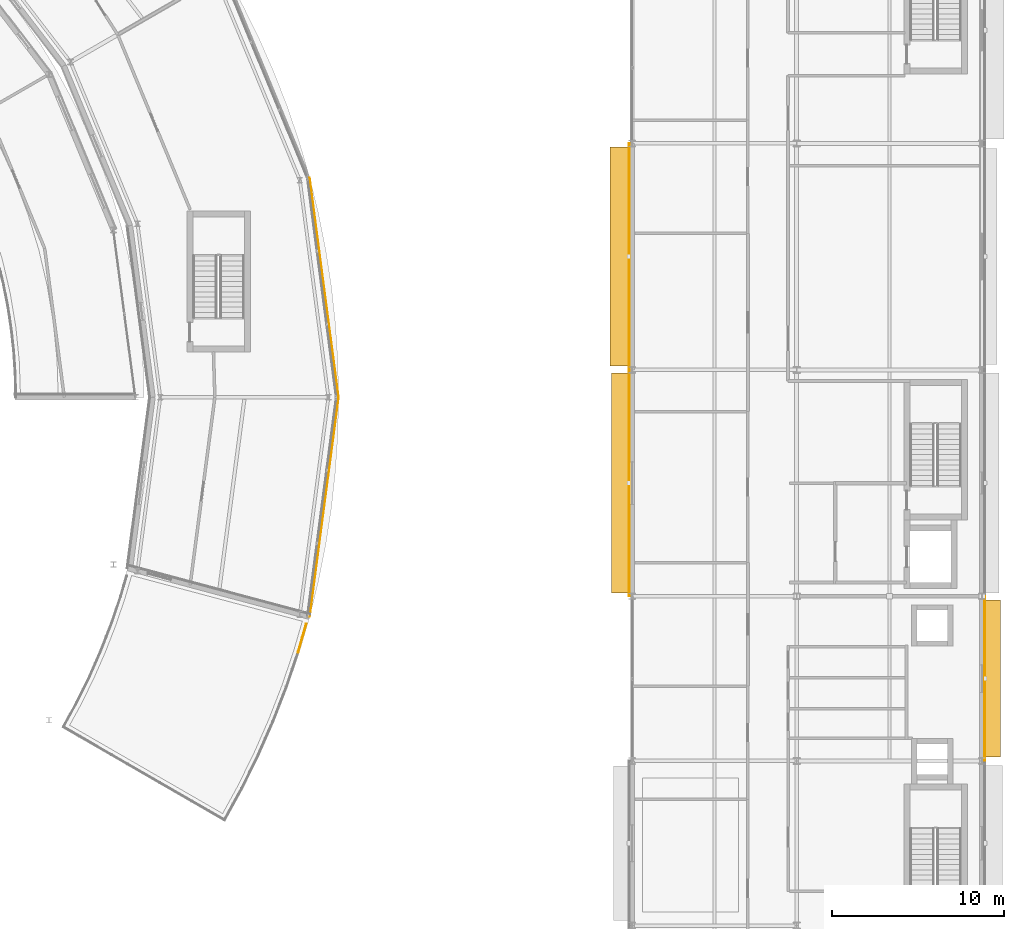
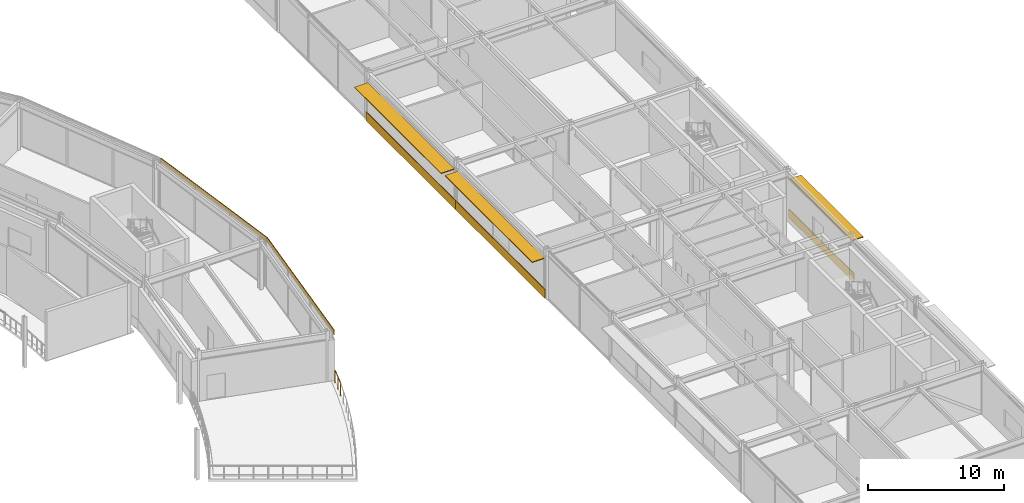
# One storey, part 114 of 116: 5 coverings, 3 shading devices, 1 railing.
"""IFC4 building model written with IfcOpenShell, lengths in metres."""

from ifc_helpers import new_model, si_unit, direction, frame, origin, origin_2d, place, context, subcontext, project, spatial, rectangle, circle, extrude, material, layer, layer_set, type_object, element, save


model = new_model("IFC4")

# Units and contexts
model_context = context("Model", 3, precision=1e-05, world=origin(), true_north=direction((0.0, 1.0)))
body_context = subcontext(model_context, "Body", "Model", "MODEL_VIEW")
ifc_project = project(units=[si_unit("LENGTHUNIT", "METRE"), si_unit("AREAUNIT", "SQUARE_METRE"), si_unit("VOLUMEUNIT", "CUBIC_METRE"), si_unit("PLANEANGLEUNIT", "RADIAN"), si_unit("MASSUNIT", "GRAM", prefix="KILO")], contexts=[model_context])

# Site, building, storey
site_placement = place(None, origin())
site = spatial("IfcSite", under=ifc_project, at=site_placement, CompositionType="ELEMENT")
building_placement = place(site_placement, origin())
building = spatial("IfcBuilding", under=site, at=building_placement, Name="Almandine Court Research Institute", CompositionType="ELEMENT")
storey_placement = place(building_placement, frame((0.0, 0.0, 14.35009765625)))
storey = spatial("IfcBuildingStorey", under=building, at=storey_placement, Name="L03", CompositionType="ELEMENT", Elevation=14.35009765625)

# Coverings
ifc_material_1 = material(Name="Extruded Cream-Ochre Seismic Terracotta Spandrel", Category="masonry")
ifc_layer_1 = layer(ifc_material_1, 0.054931640625)
ifc_layer_set_1 = layer_set([ifc_layer_1], Name="Extruded Cream-Ochre Seismic Terracotta Spandrel")
covering_type = type_object("IfcCoveringType", Name="Cov-CLAD-TERR", PredefinedType="CLADDING", material=ifc_layer_set_1)
for number, where, z_axis, x_axis, name in (
    (1, (153.428955078125, 51.0, 0.02001953125), (0.0, 0.0, 1.0), (0.0, 1.0, 0.0), "L03 Facade Spandrel Cladding Band 155"),
    (2, (153.428955078125, 64.199951171875, 0.02001953125), (0.0, 0.0, 1.0), (0.0, 1.0, 0.0), "L03 Facade Spandrel Cladding Band 156"),
):
    element("IfcCovering", number, at=place(storey_placement, frame(where, z_axis=z_axis, x_axis=x_axis)), inside=storey, type_object=covering_type, Name=name, PredefinedType="CLADDING", context=body_context, shape_type="SweptSolid", body=[
        extrude(rectangle(XDim=13.19189453125, YDim=0.054931640625, at=origin_2d()), origin(), (0.0, 0.0, 1.0), 0.800048828125),
    ])
covering_placement = place(storey_placement, frame((174.1708984375, 39.60009765625, 0.02001953125), z_axis=(0.0, 0.0, 1.0), x_axis=(0.0, -1.0, 0.0)))
element("IfcCovering", 3, at=covering_placement, inside=storey, type_object=covering_type, Name="L03 Facade Spandrel Cladding Band 164", PredefinedType="CLADDING", context=body_context, shape_type="SweptSolid", body=[
    extrude(rectangle(XDim=9.592041015625, YDim=0.054931640625, at=origin_2d()), origin(), (0.0, 0.0, 1.0), 0.800048828125),
])
for number, where, z_axis, x_axis, name in (
    (4, (135.638916015625, 49.595947265625, 3.97998046875), (0.0, 0.0, 1.0), (-0.13052619222, -0.991444861374, 0.0), "L03 Drum Stacked Terracotta Ring Band 23"),
    (5, (135.638916015625, 62.404052734375, 3.97998046875), (0.0, 0.0, 1.0), (0.13052619222, -0.991444861374, 0.0), "L03 Drum Stacked Terracotta Ring Band 00"),
):
    element("IfcCovering", number, at=place(storey_placement, frame(where, z_axis=z_axis, x_axis=x_axis)), inside=storey, type_object=covering_type, Name=name, PredefinedType="CLADDING", context=body_context, shape_type="SweptSolid", body=[
        extrude(rectangle(XDim=12.8779296875, YDim=0.054931640625, at=origin_2d()), origin(), (0.0, 0.0, 1.0), 0.419921875),
    ])

# Railing
ifc_material_2 = material(Name="Architectural Powder-Coated Aluminium Balustrade", Category="aluminium")
railing_type = type_object("IfcRailingType", Name="Rail-BAL-EXT", PredefinedType="BALUSTRADE", material=ifc_material_2)
railing_placement = place(storey_placement, frame((134.610107421875, 42.777099609375, 0.0)))
element("IfcRailing", 6, at=railing_placement, inside=storey, type_object=railing_type, Name="L03 Terrace Perimeter Balustrade 083", PredefinedType="BALUSTRADE", context=body_context, shape_type="SweptSolid", body=[
    extrude(circle(Radius=0.02392578125, at=origin_2d()), frame((0.0, 0.0, 1.1259765625), z_axis=(-0.279593376862, -0.960118504985, 0.0), x_axis=(0.960118504985, -0.279593376862, 0.0)), (0.0, 0.0, 1.0), 1.706298828125),
    extrude(circle(Radius=0.02099609375, at=origin_2d()), origin(), (0.0, 0.0, 1.0), 1.101806640625),
    extrude(circle(Radius=0.02099609375, at=origin_2d()), frame((-0.238525390625, -0.819091796875, 0.0)), (0.0, 0.0, 1.0), 1.101806640625),
    extrude(circle(Radius=0.02099609375, at=origin_2d()), frame((-0.47705078125, -1.63818359375, 0.0)), (0.0, 0.0, 1.0), 1.101806640625),
])

# Shading devices
ifc_material_3 = material(Name="Precast GFRC Chhajja Sunshade and Acoustic Louvre", Category="concrete")
ifc_layer_2 = layer(ifc_material_3, 0.080078125)
ifc_layer_set_2 = layer_set([ifc_layer_2], Name="Precast GFRC Chhajja Sunshade and Acoustic Louvre")
shading_device_type_1 = type_object("IfcShadingDeviceType", Name="Shd-SD-01", PredefinedType="AWNING", material=ifc_layer_set_2)
shading_device_1_placement = place(storey_placement, frame((174.610107421875, 39.60009765625, 3.603759765625), z_axis=(0.0, 0.0, 1.0), x_axis=(0.0, -1.0, 0.0)))
element("IfcShadingDevice", 7, at=shading_device_1_placement, inside=storey, type_object=shading_device_type_1, Name="L03 Projecting Chhajja Sunshade 113", PredefinedType="AWNING", context=body_context, shape_type="SweptSolid", body=[
    extrude(rectangle(XDim=9.162109375, YDim=0.949951171875, at=origin_2d()), origin(), (0.0, 0.0, 1.0), 0.080078125),
])
ifc_layer_3 = layer(ifc_material_3, 0.080078125)
ifc_layer_set_3 = layer_set([ifc_layer_3], Name="Precast GFRC Chhajja Sunshade and Acoustic Louvre")
shading_device_type_2 = type_object("IfcShadingDeviceType", Name="Shd-SD-44", PredefinedType="AWNING", material=ifc_layer_set_3)
shading_device_2_placement = place(storey_placement, frame((152.93994140625, 51.0, 3.4619140625), z_axis=(0.0, 0.0, 1.0), x_axis=(0.0, 1.0, 0.0)))
element("IfcShadingDevice", 8, at=shading_device_2_placement, inside=storey, type_object=shading_device_type_2, Name="L03 Projecting Chhajja Sunshade 104", PredefinedType="AWNING", context=body_context, shape_type="SweptSolid", body=[
    extrude(rectangle(XDim=12.842041015625, YDim=1.050048828125, at=origin_2d()), origin(), (0.0, 0.0, 1.0), 0.080078125),
])
ifc_layer_4 = layer(ifc_material_3, 0.080078125)
ifc_layer_set_4 = layer_set([ifc_layer_4], Name="Precast GFRC Chhajja Sunshade and Acoustic Louvre")
shading_device_type_3 = type_object("IfcShadingDeviceType", Name="Shd-SD-59", PredefinedType="AWNING", material=ifc_layer_set_4)
shading_device_3_placement = place(storey_placement, frame((152.889892578125, 64.199951171875, 3.4619140625), z_axis=(0.0, 0.0, 1.0), x_axis=(0.0, 1.0, 0.0)))
element("IfcShadingDevice", 9, at=shading_device_3_placement, inside=storey, type_object=shading_device_type_3, Name="L03 Projecting Chhajja Sunshade 105", PredefinedType="AWNING", context=body_context, shape_type="SweptSolid", body=[
    extrude(rectangle(XDim=12.761962890625, YDim=1.14990234375, at=origin_2d()), origin(), (0.0, 0.0, 1.0), 0.080078125),
])

save(model, "model.ifc")
